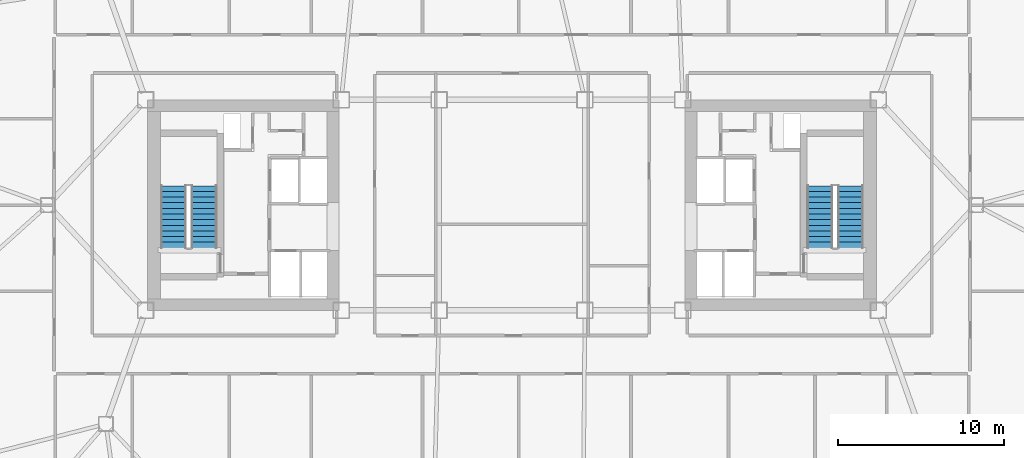
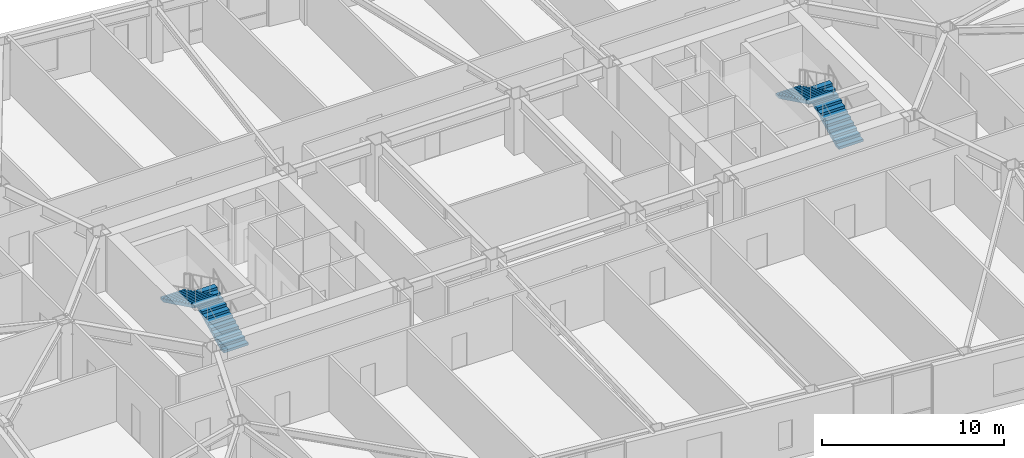
# One storey, part 16 of 21: 4 stair flights, 2 elements without a shape of their own.
"""IFC4 building model written with IfcOpenShell, lengths in metres."""

from ifc_helpers import new_model, si_unit, direction, frame, origin, place, context, subcontext, project, spatial, polyline, outline, extrude, material, type_object, element, aggregate, save


model = new_model("IFC4")

# Units and contexts
model_context = context("Model", 3, precision=1e-05, world=origin(), true_north=direction((0.0, 1.0)))
body_context = subcontext(model_context, "Body", "Model", "MODEL_VIEW")
ifc_project = project(units=[si_unit("LENGTHUNIT", "METRE"), si_unit("AREAUNIT", "SQUARE_METRE"), si_unit("VOLUMEUNIT", "CUBIC_METRE"), si_unit("PLANEANGLEUNIT", "RADIAN"), si_unit("MASSUNIT", "GRAM", prefix="KILO")], contexts=[model_context])

# Site, building, storey
site_placement = place(None, origin())
site = spatial("IfcSite", under=ifc_project, at=site_placement, CompositionType="ELEMENT")
building_placement = place(site_placement, origin())
building = spatial("IfcBuilding", under=site, at=building_placement, Name="Tavrogorsk Clinical Tower", CompositionType="ELEMENT")
storey_placement = place(building_placement, frame((0.0, 0.0, 129.39990234375)))
storey = spatial("IfcBuildingStorey", under=building, at=storey_placement, Name="L29", CompositionType="ELEMENT", Elevation=129.39990234375)

# Stair, stair flights
ifc_material_1 = material(Name="Concrete B60", Category="concrete")
stair_type = type_object("IfcStairType", Name="CoreStairAssembly", PredefinedType="HALF_TURN_STAIR", material=ifc_material_1)
stair_1_placement = place(storey_placement, origin())
stair_1 = element("IfcStair", 1, at=stair_1_placement, inside=storey, type_object=stair_type, Name="L29 ST-W", PredefinedType="HALF_TURN_STAIR")
ifc_material_2 = material(Name="Concrete B60", Category="concrete")
stair_flight_type = type_object("IfcStairFlightType", Name="CoreStairFlight", PredefinedType="STRAIGHT", material=ifc_material_2)
stair_flight_1_placement = place(storey_placement, frame((-18.574951171875, -2.574951171875, 0.0), z_axis=(0.0, 0.0, 1.0), x_axis=(0.0, 1.0, 0.0)))
stair_flight_1 = element("IfcStairFlight", 2, at=stair_flight_1_placement, type_object=stair_flight_type, Name="ST-W flight 1", NumberOfRisers=12, NumberOfTreads=11, PredefinedType="STRAIGHT", RiserHeight=0.166666667, TreadLength=0.34, context=body_context, shape_type="SweptSolid", body=[
    extrude(outline(polyline([(0.0, 0.0), (0.0, 0.166748046875), (0.340087890625, 0.166748046875), (0.340087890625, 0.333251953125), (0.679931640625, 0.333251953125), (0.679931640625, 0.5), (1.02001953125, 0.5), (1.02001953125, 0.666748046875), (1.360107421875, 0.666748046875), (1.360107421875, 0.833251953125), (1.699951171875, 0.833251953125), (1.699951171875, 1.0), (2.0400390625, 1.0), (2.0400390625, 1.166748046875), (2.3798828125, 1.166748046875), (2.3798828125, 1.333251953125), (2.719970703125, 1.333251953125), (2.719970703125, 1.5), (3.06005859375, 1.5), (3.06005859375, 1.666748046875), (3.39990234375, 1.666748046875), (3.39990234375, 1.833251953125), (3.739990234375, 1.833251953125), (3.739990234375, 2.0), (3.739990234375, 1.66650390625), (0.340576171875, 0.0), (0.0, 0.0)])), frame((0.0, 0.77490234375, 0.0), z_axis=(0.0, -1.0, 0.0), x_axis=(1.0, 0.0, 0.0)), (0.0, 0.0, 1.0), 1.550048828125),
])
stair_flight_2_placement = place(storey_placement, frame((-20.425048828125, 1.1650390625, 2.0), z_axis=(0.0, 0.0, 1.0), x_axis=(0.0, -1.0, 0.0)))
stair_flight_2 = element("IfcStairFlight", 3, at=stair_flight_2_placement, type_object=stair_flight_type, Name="ST-W flight 2", NumberOfRisers=12, NumberOfTreads=11, PredefinedType="STRAIGHT", RiserHeight=0.166666667, TreadLength=0.34, context=body_context, shape_type="SweptSolid", body=[
    extrude(outline(polyline([(0.0, 0.0), (0.0, 0.166748046875), (0.340087890625, 0.166748046875), (0.340087890625, 0.333251953125), (0.679931640625, 0.333251953125), (0.679931640625, 0.5), (1.02001953125, 0.5), (1.02001953125, 0.666748046875), (1.360107421875, 0.666748046875), (1.360107421875, 0.833251953125), (1.699951171875, 0.833251953125), (1.699951171875, 1.0), (2.0400390625, 1.0), (2.0400390625, 1.166748046875), (2.3798828125, 1.166748046875), (2.3798828125, 1.333251953125), (2.719970703125, 1.333251953125), (2.719970703125, 1.5), (3.06005859375, 1.5), (3.06005859375, 1.666748046875), (3.39990234375, 1.666748046875), (3.39990234375, 1.833251953125), (3.739990234375, 1.833251953125), (3.739990234375, 2.0), (3.739990234375, 1.66650390625), (0.340576171875, 0.0), (0.0, 0.0)])), frame((0.0, 0.77490234375, 0.0), z_axis=(0.0, -1.0, 0.0), x_axis=(1.0, 0.0, 0.0)), (0.0, 0.0, 1.0), 1.550048828125),
])
aggregate(stair_1, [stair_flight_1, stair_flight_2])

stair_2_placement = place(storey_placement, origin())
stair_2 = element("IfcStair", 4, at=stair_2_placement, inside=storey, type_object=stair_type, Name="L29 ST-E", PredefinedType="HALF_TURN_STAIR")
stair_flight_3_placement = place(storey_placement, frame((20.425048828125, -2.574951171875, 0.0), z_axis=(0.0, 0.0, 1.0), x_axis=(0.0, 1.0, 0.0)))
stair_flight_3 = element("IfcStairFlight", 5, at=stair_flight_3_placement, type_object=stair_flight_type, Name="ST-E flight 1", NumberOfRisers=12, NumberOfTreads=11, PredefinedType="STRAIGHT", RiserHeight=0.166666667, TreadLength=0.34, context=body_context, shape_type="SweptSolid", body=[
    extrude(outline(polyline([(0.0, 0.0), (0.0, 0.166748046875), (0.340087890625, 0.166748046875), (0.340087890625, 0.333251953125), (0.679931640625, 0.333251953125), (0.679931640625, 0.5), (1.02001953125, 0.5), (1.02001953125, 0.666748046875), (1.360107421875, 0.666748046875), (1.360107421875, 0.833251953125), (1.699951171875, 0.833251953125), (1.699951171875, 1.0), (2.0400390625, 1.0), (2.0400390625, 1.166748046875), (2.3798828125, 1.166748046875), (2.3798828125, 1.333251953125), (2.719970703125, 1.333251953125), (2.719970703125, 1.5), (3.06005859375, 1.5), (3.06005859375, 1.666748046875), (3.39990234375, 1.666748046875), (3.39990234375, 1.833251953125), (3.739990234375, 1.833251953125), (3.739990234375, 2.0), (3.739990234375, 1.66650390625), (0.340576171875, 0.0), (0.0, 0.0)])), frame((0.0, 0.77490234375, 0.0), z_axis=(0.0, -1.0, 0.0), x_axis=(1.0, 0.0, 0.0)), (0.0, 0.0, 1.0), 1.550048828125),
])
stair_flight_4_placement = place(storey_placement, frame((18.574951171875, 1.1650390625, 2.0), z_axis=(0.0, 0.0, 1.0), x_axis=(0.0, -1.0, 0.0)))
stair_flight_4 = element("IfcStairFlight", 6, at=stair_flight_4_placement, type_object=stair_flight_type, Name="ST-E flight 2", NumberOfRisers=12, NumberOfTreads=11, PredefinedType="STRAIGHT", RiserHeight=0.166666667, TreadLength=0.34, context=body_context, shape_type="SweptSolid", body=[
    extrude(outline(polyline([(0.0, 0.0), (0.0, 0.166748046875), (0.340087890625, 0.166748046875), (0.340087890625, 0.333251953125), (0.679931640625, 0.333251953125), (0.679931640625, 0.5), (1.02001953125, 0.5), (1.02001953125, 0.666748046875), (1.360107421875, 0.666748046875), (1.360107421875, 0.833251953125), (1.699951171875, 0.833251953125), (1.699951171875, 1.0), (2.0400390625, 1.0), (2.0400390625, 1.166748046875), (2.3798828125, 1.166748046875), (2.3798828125, 1.333251953125), (2.719970703125, 1.333251953125), (2.719970703125, 1.5), (3.06005859375, 1.5), (3.06005859375, 1.666748046875), (3.39990234375, 1.666748046875), (3.39990234375, 1.833251953125), (3.739990234375, 1.833251953125), (3.739990234375, 2.0), (3.739990234375, 1.66650390625), (0.340576171875, 0.0), (0.0, 0.0)])), frame((0.0, 0.77490234375, 0.0), z_axis=(0.0, -1.0, 0.0), x_axis=(1.0, 0.0, 0.0)), (0.0, 0.0, 1.0), 1.550048828125),
])
aggregate(stair_2, [stair_flight_3, stair_flight_4])

save(model, "model.ifc")
